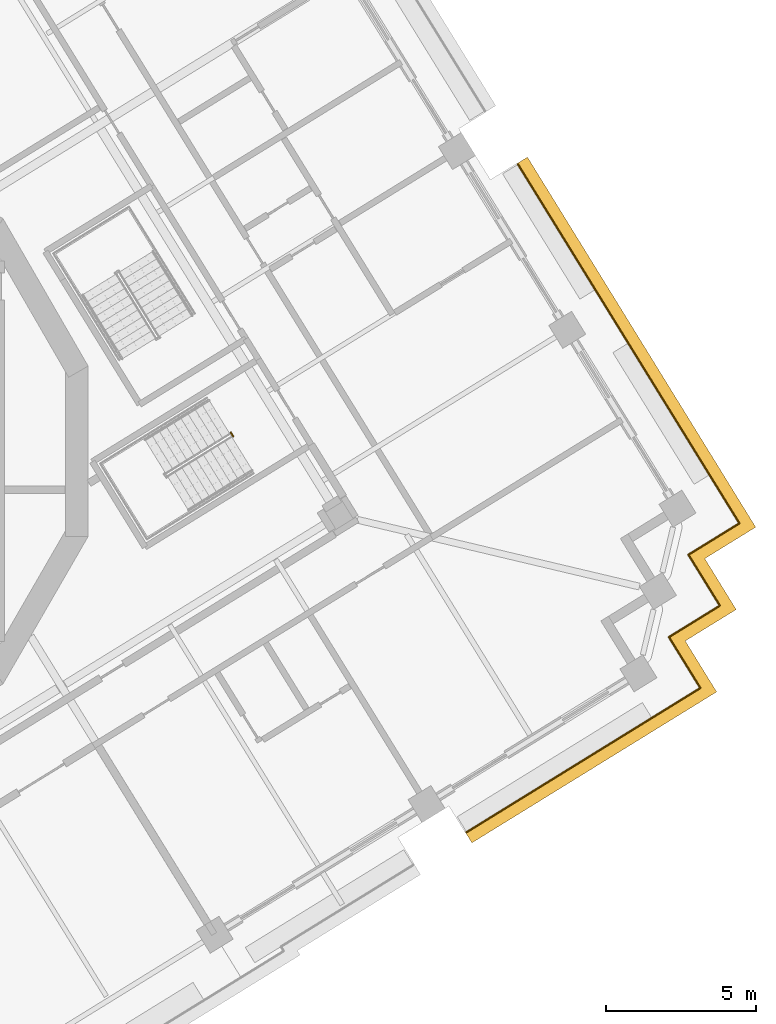
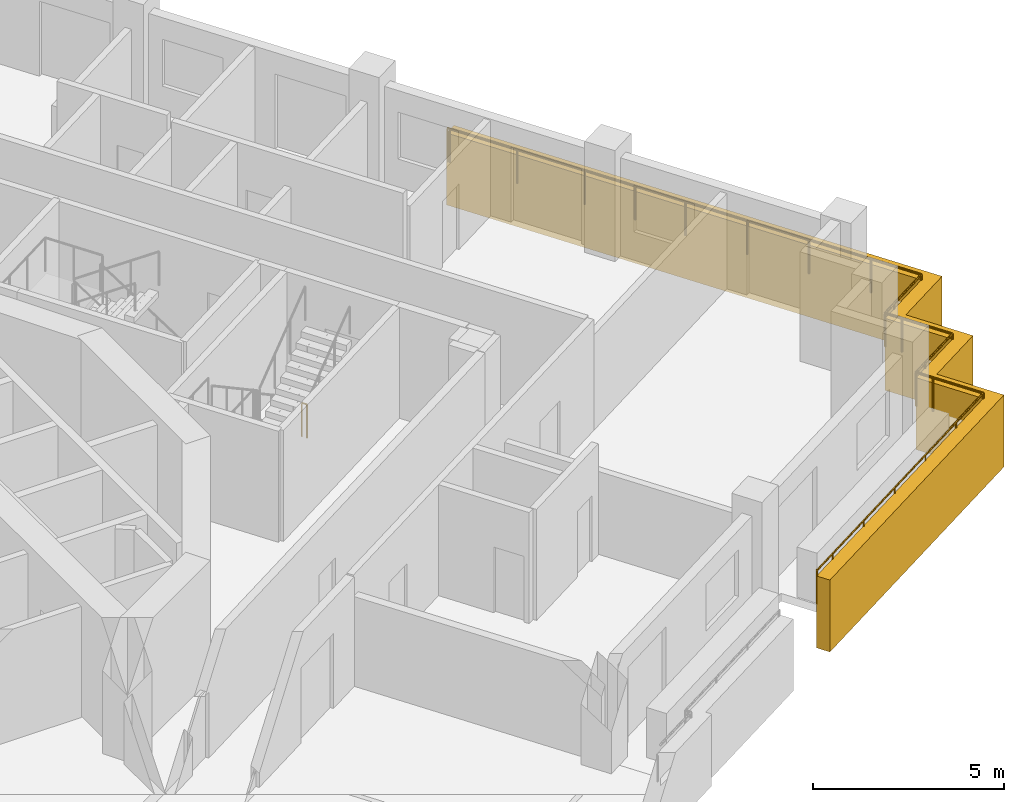
# One storey, part 17 of 21: 3 railings, 1 covering.
"""IFC4 building model written with IfcOpenShell, lengths in metres."""

from ifc_helpers import new_model, si_unit, direction, frame, origin, origin_2d, place, context, subcontext, project, spatial, polyline, circle, outline, extrude, material, type_object, element, save


model = new_model("IFC4")

# Units and contexts
model_context = context("Model", 3, precision=1e-05, world=origin(), true_north=direction((0.0, 1.0)))
body_context = subcontext(model_context, "Body", "Model", "MODEL_VIEW")
ifc_project = project(units=[si_unit("LENGTHUNIT", "METRE"), si_unit("AREAUNIT", "SQUARE_METRE"), si_unit("VOLUMEUNIT", "CUBIC_METRE"), si_unit("PLANEANGLEUNIT", "RADIAN"), si_unit("MASSUNIT", "GRAM", prefix="KILO")], contexts=[model_context])

# Site, building, storey
site_placement = place(None, origin())
site = spatial("IfcSite", under=ifc_project, at=site_placement, CompositionType="ELEMENT")
building_placement = place(site_placement, origin())
building = spatial("IfcBuilding", under=site, at=building_placement, Name="Cantera Rosa Tower", CompositionType="ELEMENT")
storey_placement = place(building_placement, frame((0.0, 0.0, 170.39990234375)))
storey = spatial("IfcBuildingStorey", under=building, at=storey_placement, Name="L37", CompositionType="ELEMENT", Elevation=170.39990234375)

# Railings
ifc_material_1 = material(Name="Stainless steel and laminated glass", Category="steel")
railing_type_1 = type_object("IfcRailingType", Name="GUARD 1100", PredefinedType="BALUSTRADE", material=ifc_material_1)
railing_1_placement = place(storey_placement, frame((30.293212890625, -6.634521484375, 0.0)))
element("IfcRailing", 1, at=railing_1_placement, inside=storey, type_object=railing_type_1, Name="GUARD L37-9", PredefinedType="BALUSTRADE", context=body_context, shape_type="SweptSolid", body=[
    extrude(circle(Radius=0.030029296875, at=origin_2d()), frame((0.0, 0.0, 1.070068359375), z_axis=(0.524869051004, -0.85118298814, 0.0), x_axis=(0.85118298814, 0.524869051004, 0.0)), (0.0, 0.0, 1.0), 1.5),
    extrude(circle(Radius=0.030029296875, at=origin_2d()), frame((0.787353515625, -1.27685546875, 1.070068359375), z_axis=(-0.851138143202, -0.52494176933, 0.0), x_axis=(0.52494176933, -0.851138143202, 0.0)), (0.0, 0.0, 1.0), 1.5),
    extrude(circle(Radius=0.030029296875, at=origin_2d()), frame((-0.4892578125, -2.064208984375, 1.070068359375), z_axis=(-0.851120753703, -0.524969963537, 0.0), x_axis=(0.524969963537, -0.851120753703, 0.0)), (0.0, 0.0, 1.0), 6.820068359375),
    extrude(circle(Radius=0.030029296875, at=origin_2d()), frame((-6.2939453125, -5.64453125, 1.070068359375), z_axis=(-0.851089370259, -0.525020841331, 0.0), x_axis=(0.525020841331, -0.851089370259, 0.0)), (0.0, 0.0, 1.0), 0.8701171875),
    extrude(circle(Radius=0.02490234375, at=origin_2d()), origin(), (0.0, 0.0, 1.0), 1.0400390625),
    extrude(circle(Radius=0.02490234375, at=origin_2d()), frame((0.787353515625, -1.27685546875, 0.0)), (0.0, 0.0, 1.0), 1.0400390625),
    extrude(circle(Radius=0.02490234375, at=origin_2d()), frame((-0.4892578125, -2.064208984375, 0.0)), (0.0, 0.0, 1.0), 1.0400390625),
    extrude(circle(Radius=0.02490234375, at=origin_2d()), frame((-1.9404296875, -2.959228515625, 0.0)), (0.0, 0.0, 1.0), 1.0400390625),
    extrude(circle(Radius=0.02490234375, at=origin_2d()), frame((-3.3916015625, -3.8544921875, 0.0)), (0.0, 0.0, 1.0), 1.0400390625),
    extrude(circle(Radius=0.02490234375, at=origin_2d()), frame((-4.8427734375, -4.74951171875, 0.0)), (0.0, 0.0, 1.0), 1.0400390625),
    extrude(circle(Radius=0.02490234375, at=origin_2d()), frame((-6.2939453125, -5.64453125, 0.0)), (0.0, 0.0, 1.0), 1.0400390625),
    extrude(circle(Radius=0.02490234375, at=origin_2d()), frame((-7.034423828125, -6.101318359375, 0.0)), (0.0, 0.0, 1.0), 1.0400390625),
])
railing_2_placement = place(storey_placement, frame((24.977783203125, 9.602294921875, 0.0)))
element("IfcRailing", 2, at=railing_2_placement, inside=storey, type_object=railing_type_1, Name="GUARD L37-10", PredefinedType="BALUSTRADE", context=body_context, shape_type="SweptSolid", body=[
    extrude(circle(Radius=0.030029296875, at=origin_2d()), frame((0.0, 0.0, 1.070068359375), z_axis=(0.523707774199, -0.851897979364, 0.0), x_axis=(0.851897979364, 0.523707774199, 0.0)), (0.0, 0.0, 1.0), 0.06982421875),
    extrude(circle(Radius=0.030029296875, at=origin_2d()), frame((0.03662109375, -0.0595703125, 1.070068359375), z_axis=(0.525022161202, -0.851088556054, 0.0), x_axis=(0.851088556054, 0.525022161202, 0.0)), (0.0, 0.0, 1.0), 4.02001953125),
    extrude(circle(Radius=0.030029296875, at=origin_2d()), frame((2.147216796875, -3.48095703125, 1.070068359375), z_axis=(0.524964362564, -0.851124208349, 0.0), x_axis=(0.851124208349, 0.524964362564, 0.0)), (0.0, 0.0, 1.0), 3.0),
    extrude(circle(Radius=0.030029296875, at=origin_2d()), frame((3.72216796875, -6.034423828125, 1.070068359375), z_axis=(0.524968277683, -0.851121793533, 0.0), x_axis=(0.851121793533, 0.524968277683, 0.0)), (0.0, 0.0, 1.0), 5.519775390625),
    extrude(circle(Radius=0.030029296875, at=origin_2d()), frame((6.619873046875, -10.732421875, 1.070068359375), z_axis=(0.524986950369, -0.851110276017, 0.0), x_axis=(0.851110276017, 0.524986950369, 0.0)), (0.0, 0.0, 1.0), 1.500244140625),
    extrude(circle(Radius=0.030029296875, at=origin_2d()), frame((7.407470703125, -12.00927734375, 1.070068359375), z_axis=(-0.85118298814, -0.524869051004, 0.0), x_axis=(0.524869051004, -0.85118298814, 0.0)), (0.0, 0.0, 1.0), 1.5),
    extrude(circle(Radius=0.030029296875, at=origin_2d()), frame((6.130615234375, -12.796630859375, 1.070068359375), z_axis=(-0.851138143202, -0.52494176933, 0.0), x_axis=(0.52494176933, -0.851138143202, 0.0)), (0.0, 0.0, 1.0), 0.5),
    extrude(circle(Radius=0.030029296875, at=origin_2d()), frame((5.705078125, -13.05908203125, 1.070068359375), z_axis=(0.52494176933, -0.851138143202, 0.0), x_axis=(0.851138143202, 0.52494176933, 0.0)), (0.0, 0.0, 1.0), 0.5),
    extrude(circle(Radius=0.030029296875, at=origin_2d()), frame((5.967529296875, -13.484619140625, 1.070068359375), z_axis=(0.524986950369, -0.851110276017, 0.0), x_axis=(0.851110276017, 0.524986950369, 0.0)), (0.0, 0.0, 1.0), 1.500244140625),
    extrude(circle(Radius=0.030029296875, at=origin_2d()), frame((6.755126953125, -14.761474609375, 1.070068359375), z_axis=(-0.851138143202, -0.52494176933, 0.0), x_axis=(0.52494176933, -0.851138143202, 0.0)), (0.0, 0.0, 1.0), 1.5),
    extrude(circle(Radius=0.030029296875, at=origin_2d()), frame((5.478515625, -15.548828125, 1.070068359375), z_axis=(-0.851138143202, -0.52494176933, 0.0), x_axis=(0.52494176933, -0.851138143202, 0.0)), (0.0, 0.0, 1.0), 0.5),
    extrude(circle(Radius=0.030029296875, at=origin_2d()), frame((5.052978515625, -15.811279296875, 1.070068359375), z_axis=(0.52494176933, -0.851138143202, 0.0), x_axis=(0.851138143202, 0.52494176933, 0.0)), (0.0, 0.0, 1.0), 0.5),
    extrude(circle(Radius=0.02490234375, at=origin_2d()), origin(), (0.0, 0.0, 1.0), 1.0400390625),
    extrude(circle(Radius=0.02490234375, at=origin_2d()), frame((0.03662109375, -0.0595703125, 0.0)), (0.0, 0.0, 1.0), 1.0400390625),
    extrude(circle(Radius=0.02490234375, at=origin_2d()), frame((1.091796875, -1.770263671875, 0.0)), (0.0, 0.0, 1.0), 1.0400390625),
    extrude(circle(Radius=0.02490234375, at=origin_2d()), frame((2.147216796875, -3.48095703125, 0.0)), (0.0, 0.0, 1.0), 1.0400390625),
    extrude(circle(Radius=0.02490234375, at=origin_2d()), frame((2.9345703125, -4.7578125, 0.0)), (0.0, 0.0, 1.0), 1.0400390625),
    extrude(circle(Radius=0.02490234375, at=origin_2d()), frame((3.72216796875, -6.034423828125, 0.0)), (0.0, 0.0, 1.0), 1.0400390625),
    extrude(circle(Radius=0.02490234375, at=origin_2d()), frame((4.68798828125, -7.600341796875, 0.0)), (0.0, 0.0, 1.0), 1.0400390625),
    extrude(circle(Radius=0.02490234375, at=origin_2d()), frame((5.654052734375, -9.16650390625, 0.0)), (0.0, 0.0, 1.0), 1.0400390625),
    extrude(circle(Radius=0.02490234375, at=origin_2d()), frame((6.619873046875, -10.732421875, 0.0)), (0.0, 0.0, 1.0), 1.0400390625),
    extrude(circle(Radius=0.02490234375, at=origin_2d()), frame((7.407470703125, -12.00927734375, 0.0)), (0.0, 0.0, 1.0), 1.0400390625),
    extrude(circle(Radius=0.02490234375, at=origin_2d()), frame((6.130615234375, -12.796630859375, 0.0)), (0.0, 0.0, 1.0), 1.0400390625),
    extrude(circle(Radius=0.02490234375, at=origin_2d()), frame((5.705078125, -13.05908203125, 0.0)), (0.0, 0.0, 1.0), 1.0400390625),
    extrude(circle(Radius=0.02490234375, at=origin_2d()), frame((5.967529296875, -13.484619140625, 0.0)), (0.0, 0.0, 1.0), 1.0400390625),
    extrude(circle(Radius=0.02490234375, at=origin_2d()), frame((6.755126953125, -14.761474609375, 0.0)), (0.0, 0.0, 1.0), 1.0400390625),
    extrude(circle(Radius=0.02490234375, at=origin_2d()), frame((5.478515625, -15.548828125, 0.0)), (0.0, 0.0, 1.0), 1.0400390625),
    extrude(circle(Radius=0.02490234375, at=origin_2d()), frame((5.052978515625, -15.811279296875, 0.0)), (0.0, 0.0, 1.0), 1.0400390625),
    extrude(circle(Radius=0.02490234375, at=origin_2d()), frame((5.3154296875, -16.23681640625, 0.0)), (0.0, 0.0, 1.0), 1.0400390625),
])
ifc_material_2 = material(Name="Steel S355J2 (EN 10025-2)", Category="steel")
railing_type_2 = type_object("IfcRailingType", Name="STAIR GUARD 1100", PredefinedType="GUARDRAIL", material=ifc_material_2)
railing_3_placement = place(storey_placement, frame((15.394775390625, 0.625, 0.0)))
element("IfcRailing", 3, at=railing_3_placement, inside=storey, type_object=railing_type_2, Name="L37 ST-34 stair guard 3", PredefinedType="GUARDRAIL", context=body_context, shape_type="SweptSolid", body=[
    extrude(circle(Radius=0.02392578125, at=origin_2d()), frame((0.0, 0.0, 1.076171875), z_axis=(0.524279100842, -0.851546489876, 0.0), x_axis=(0.851546489876, 0.524279100842, 0.0)), (0.0, 0.0, 1.0), 0.14990234375),
    extrude(circle(Radius=0.02099609375, at=origin_2d()), origin(), (0.0, 0.0, 1.0), 1.052001953125),
    extrude(circle(Radius=0.02099609375, at=origin_2d()), frame((0.07861328125, -0.127685546875, 0.0)), (0.0, 0.0, 1.0), 1.052001953125),
])

# Covering
ifc_material_3 = material(Name="Cantera stone", Category="masonry")
covering_type = type_object("IfcCoveringType", Name="TRAY FASCIA 400", PredefinedType="CLADDING", material=ifc_material_3)
covering_placement = place(storey_placement, frame((0.0, 0.0, -1.39990234375)))
element("IfcCovering", 4, at=covering_placement, inside=storey, type_object=covering_type, Name="TRAY FASCIA L37-06", PredefinedType="CLADDING", context=body_context, shape_type="SweptSolid", body=[
    extrude(outline(polyline([(25.35498046875, 9.752685546875), (27.46533203125, 6.331298828125), (29.040283203125, 3.77783203125), (31.938232421875, -0.920166015625), (32.935546875, -2.537353515625), (31.2333984375, -3.58740234375), (31.285888671875, -3.67236328125), (32.283447265625, -5.28955078125), (30.666259765625, -6.286865234375), (30.5810546875, -6.339599609375), (30.633544921875, -6.424560546875), (31.631103515625, -8.041748046875), (30.013916015625, -9.0390625), (24.209228515625, -12.61962890625), (23.451904296875, -13.086669921875), (23.241943359375, -12.746337890625), (23.999267578125, -12.279052734375), (29.803955078125, -8.69873046875), (31.08056640625, -7.911376953125), (30.293212890625, -6.634521484375), (30.03076171875, -6.208984375), (30.456298828125, -5.946533203125), (31.73291015625, -5.1591796875), (30.9453125, -3.88232421875), (30.682861328125, -3.456787109375), (31.1083984375, -3.1943359375), (32.38525390625, -2.406982421875), (31.59765625, -1.130126953125), (28.699951171875, 3.56787109375), (27.125, 6.121337890625), (25.014404296875, 9.542724609375), (24.96728515625, 9.619384765625), (25.3076171875, 9.829345703125), (25.35498046875, 9.752685546875)])), origin(), (0.0, 0.0, 1.0), 2.300048828125),
])

save(model, "model.ifc")
